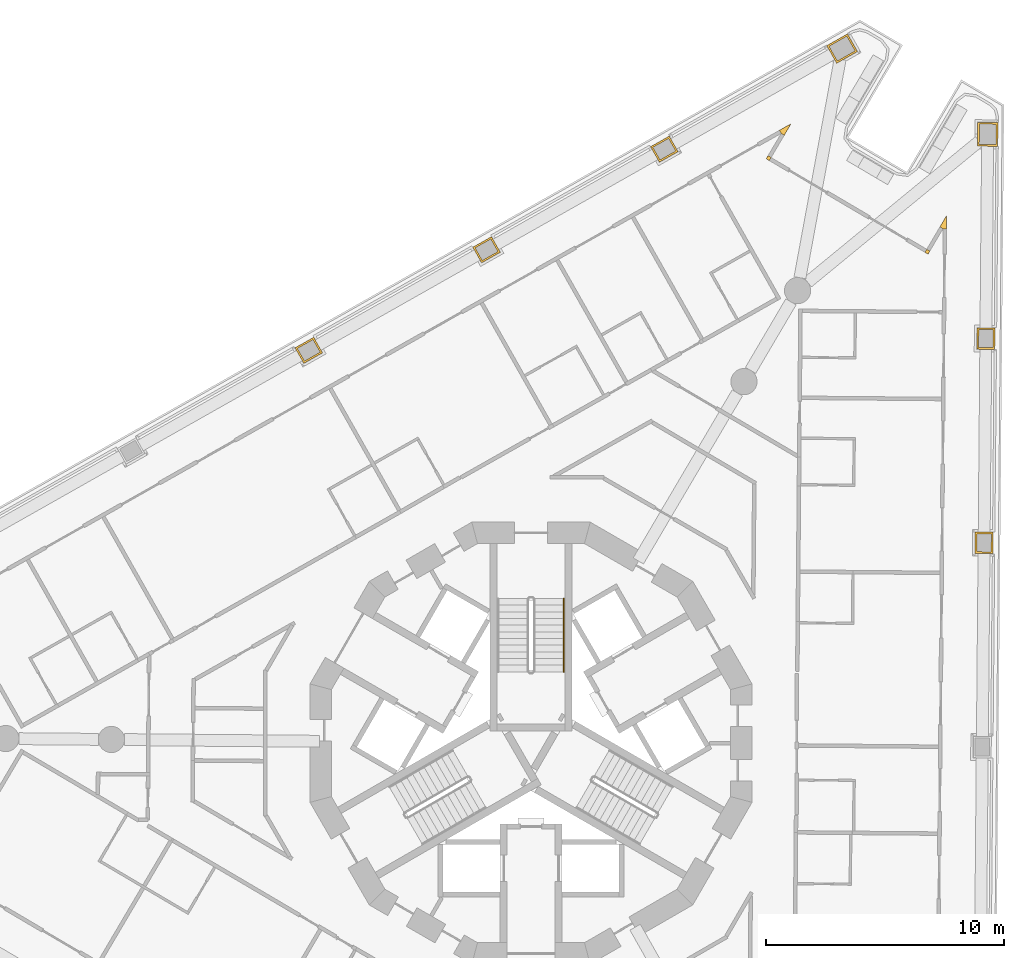
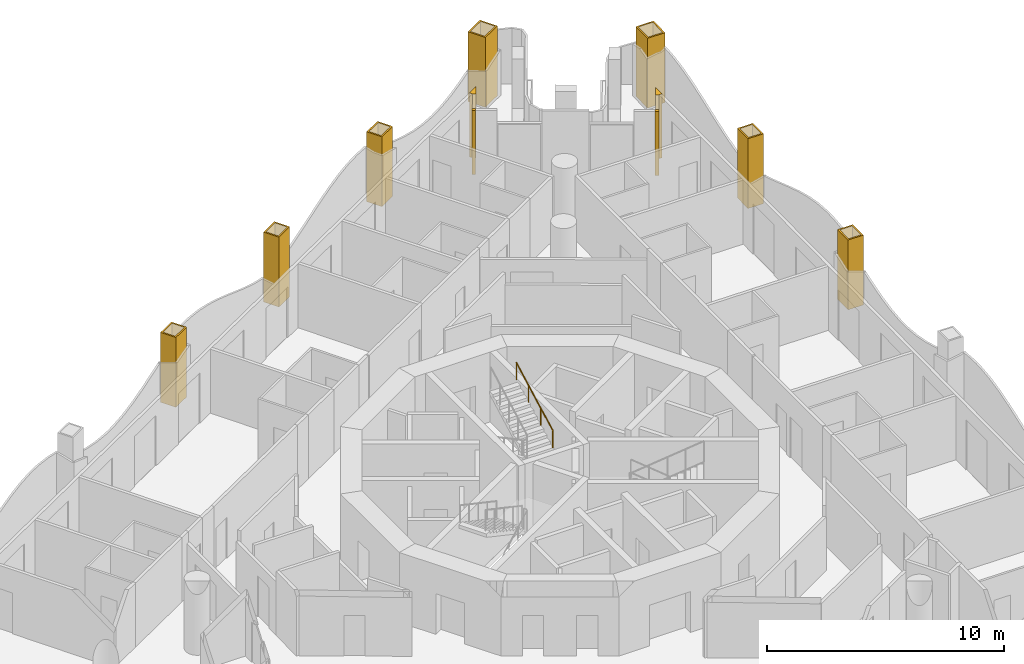
# One storey, part 16 of 17: 11 coverings, 1 railing.
"""IFC4 building model written with IfcOpenShell, lengths in metres."""

from ifc_helpers import new_model, si_unit, direction, frame, origin, origin_2d, place, context, subcontext, project, spatial, polyline, circle, outline, extrude, material, layer, layer_set, type_object, element, save


model = new_model("IFC4")

# Units and contexts
model_context = context("Model", 3, precision=1e-05, world=origin(), true_north=direction((0.0, 1.0)))
body_context = subcontext(model_context, "Body", "Model", "MODEL_VIEW")
ifc_project = project(units=[si_unit("LENGTHUNIT", "METRE"), si_unit("AREAUNIT", "SQUARE_METRE"), si_unit("VOLUMEUNIT", "CUBIC_METRE"), si_unit("PLANEANGLEUNIT", "RADIAN"), si_unit("MASSUNIT", "GRAM", prefix="KILO")], contexts=[model_context])

# Site, building, storey
site_placement = place(None, origin())
site = spatial("IfcSite", under=ifc_project, at=site_placement, CompositionType="ELEMENT")
building_placement = place(site_placement, origin())
building = spatial("IfcBuilding", under=site, at=building_placement, Name="Trine Commons Tower", CompositionType="ELEMENT")
storey_placement = place(building_placement, frame((0.0, 0.0, 168.300048828125)))
storey = spatial("IfcBuildingStorey", under=building, at=storey_placement, Name="L43", CompositionType="ELEMENT", Elevation=168.300048828125)

# Coverings
ifc_material_1 = material(Name="Aluminium-framed insulated wall panel", Category="aluminium")
ifc_layer_1 = layer(ifc_material_1, 0.14990234375)
ifc_layer_set_1 = layer_set([ifc_layer_1], Name="Aluminium-framed insulated wall panel")
covering_type_1 = type_object("IfcCoveringType", Name="Glazing corner post, aluminium", PredefinedType="CLADDING", material=ifc_layer_set_1)
covering_1_placement = place(storey_placement, origin())
element("IfcCovering", 1, at=covering_1_placement, inside=storey, type_object=covering_type_1, Name="Glazing corner post 5-05", PredefinedType="CLADDING", context=body_context, shape_type="SweptSolid", body=[
    extrude(outline(polyline([(90.626220703125, 88.007080078125), (90.910400390625, 88.489501953125), (90.423095703125, 88.213623046875), (90.496826171875, 88.083251953125), (90.626220703125, 88.007080078125)])), origin(), (0.0, 0.0, 1.0), 3.300048828125),
])
covering_2_placement = place(storey_placement, origin())
element("IfcCovering", 2, at=covering_2_placement, inside=storey, type_object=covering_type_1, Name="Glazing corner post 5-06", PredefinedType="CLADDING", context=body_context, shape_type="SweptSolid", body=[
    extrude(outline(polyline([(89.9990234375, 86.9423828125), (90.0751953125, 87.071533203125), (89.94580078125, 87.147705078125), (89.86962890625, 87.018310546875), (89.9990234375, 86.9423828125)])), origin(), (0.0, 0.0, 1.0), 3.300048828125),
])
covering_3_placement = place(storey_placement, origin())
element("IfcCovering", 3, at=covering_3_placement, inside=storey, type_object=covering_type_1, Name="Glazing corner post 5-07", PredefinedType="CLADDING", context=body_context, shape_type="SweptSolid", body=[
    extrude(outline(polyline([(96.530029296875, 83.09521484375), (96.659423828125, 83.01904296875), (96.735595703125, 83.148193359375), (96.606201171875, 83.224365234375), (96.530029296875, 83.09521484375)])), origin(), (0.0, 0.0, 1.0), 3.300048828125),
])
covering_4_placement = place(storey_placement, origin())
element("IfcCovering", 4, at=covering_4_placement, inside=storey, type_object=covering_type_1, Name="Glazing corner post 5-08", PredefinedType="CLADDING", context=body_context, shape_type="SweptSolid", body=[
    extrude(outline(polyline([(97.4365234375, 84.08251953125), (97.44140625, 84.64208984375), (97.1572265625, 84.159912109375), (97.28662109375, 84.083740234375), (97.4365234375, 84.08251953125)])), origin(), (0.0, 0.0, 1.0), 3.300048828125),
])
ifc_material_2 = material(Name="Limestone, honed", Category="masonry")
ifc_layer_2 = layer(ifc_material_2, 0.074951171875)
ifc_layer_set_2 = layer_set([ifc_layer_2], Name="Limestone, honed")
covering_type_2 = type_object("IfcCoveringType", Name="Limestone column cladding 75", PredefinedType="CLADDING", material=ifc_layer_set_2)
covering_5_placement = place(storey_placement, origin())
element("IfcCovering", 5, at=covering_5_placement, inside=storey, type_object=covering_type_2, Name="Limestone pier cladding 5-11", PredefinedType="CLADDING", context=body_context, shape_type="SweptSolid", body=[
    extrude(outline(polyline([(71.2509765625, 78.877685546875), (70.881591796875, 79.530517578125), (70.098388671875, 79.087158203125), (70.4677734375, 78.434326171875), (71.2509765625, 78.877685546875)]), holes=[polyline([(71.148681640625, 78.906005859375), (70.853515625, 79.42822265625), (70.20068359375, 79.058837890625), (70.49609375, 78.53662109375), (71.148681640625, 78.906005859375)])]), origin(), (0.0, 0.0, 1.0), 3.599853515625),
])
covering_6_placement = place(storey_placement, origin())
element("IfcCovering", 6, at=covering_6_placement, inside=storey, type_object=covering_type_2, Name="Limestone pier cladding 5-12", PredefinedType="CLADDING", context=body_context, shape_type="SweptSolid", body=[
    extrude(outline(polyline([(78.71044921875, 83.097900390625), (78.34130859375, 83.750732421875), (77.557861328125, 83.3076171875), (77.92724609375, 82.65478515625), (78.71044921875, 83.097900390625)]), holes=[polyline([(78.6083984375, 83.12646484375), (78.31298828125, 83.648681640625), (77.66015625, 83.279296875), (77.95556640625, 82.757080078125), (78.6083984375, 83.12646484375)])]), origin(), (0.0, 0.0, 1.0), 3.599853515625),
])
covering_7_placement = place(storey_placement, origin())
element("IfcCovering", 7, at=covering_7_placement, inside=storey, type_object=covering_type_2, Name="Limestone pier cladding 5-13", PredefinedType="CLADDING", context=body_context, shape_type="SweptSolid", body=[
    extrude(outline(polyline([(86.169921875, 87.318359375), (85.80078125, 87.97119140625), (85.017333984375, 87.52783203125), (85.38671875, 86.875), (86.169921875, 87.318359375)]), holes=[polyline([(86.06787109375, 87.3466796875), (85.7724609375, 87.868896484375), (85.11962890625, 87.49951171875), (85.4150390625, 86.977294921875), (86.06787109375, 87.3466796875)])]), origin(), (0.0, 0.0, 1.0), 3.599853515625),
])
covering_8_placement = place(storey_placement, origin())
element("IfcCovering", 8, at=covering_8_placement, inside=storey, type_object=covering_type_2, Name="Limestone pier cladding 5-14", PredefinedType="CLADDING", context=body_context, shape_type="SweptSolid", body=[
    extrude(outline(polyline([(93.697509765625, 91.519775390625), (93.279052734375, 92.259521484375), (92.40869140625, 91.76708984375), (92.8271484375, 91.02734375), (93.697509765625, 91.519775390625)]), holes=[polyline([(93.59521484375, 91.548095703125), (93.250732421875, 92.157470703125), (92.510986328125, 91.73876953125), (92.85546875, 91.129638671875), (93.59521484375, 91.548095703125)])]), origin(), (0.0, 0.0, 1.0), 3.599853515625),
])
covering_9_placement = place(storey_placement, origin())
element("IfcCovering", 9, at=covering_9_placement, inside=storey, type_object=covering_type_2, Name="Limestone pier cladding 5-15", PredefinedType="CLADDING", context=body_context, shape_type="SweptSolid", body=[
    extrude(outline(polyline([(99.590576171875, 88.5419921875), (98.740478515625, 88.54931640625), (98.73193359375, 87.54931640625), (99.581787109375, 87.5419921875), (99.590576171875, 88.5419921875)]), holes=[polyline([(99.514892578125, 88.467529296875), (98.81494140625, 88.4736328125), (98.8076171875, 87.623779296875), (99.507568359375, 87.61767578125), (99.514892578125, 88.467529296875)])]), origin(), (0.0, 0.0, 1.0), 3.599853515625),
])
covering_10_placement = place(storey_placement, origin())
element("IfcCovering", 10, at=covering_10_placement, inside=storey, type_object=covering_type_2, Name="Limestone pier cladding 5-16", PredefinedType="CLADDING", context=body_context, shape_type="SweptSolid", body=[
    extrude(outline(polyline([(99.46533203125, 79.922119140625), (98.71533203125, 79.9287109375), (98.70751953125, 79.028564453125), (99.45751953125, 79.02197265625), (99.46533203125, 79.922119140625)]), holes=[polyline([(99.3896484375, 79.84765625), (98.789794921875, 79.852783203125), (98.783203125, 79.102783203125), (99.383056640625, 79.09765625), (99.3896484375, 79.84765625)])]), origin(), (0.0, 0.0, 1.0), 3.599853515625),
])
covering_11_placement = place(storey_placement, origin())
element("IfcCovering", 11, at=covering_11_placement, inside=storey, type_object=covering_type_2, Name="Limestone pier cladding 5-17", PredefinedType="CLADDING", context=body_context, shape_type="SweptSolid", body=[
    extrude(outline(polyline([(99.390380859375, 71.351806640625), (98.640380859375, 71.3583984375), (98.6328125, 70.458251953125), (99.3828125, 70.45166015625), (99.390380859375, 71.351806640625)]), holes=[polyline([(99.31494140625, 71.27734375), (98.71484375, 71.28271484375), (98.708251953125, 70.53271484375), (99.308349609375, 70.52734375), (99.31494140625, 71.27734375)])]), origin(), (0.0, 0.0, 1.0), 3.599853515625),
])

# Railing
ifc_material_3 = material(Name="Stainless steel handrail", Category="steel")
railing_type = type_object("IfcRailingType", Name="Stair handrail, steel 900", PredefinedType="HANDRAIL", material=ifc_material_3)
railing_placement = place(storey_placement, frame((81.375, 65.490478515625, 1.949951171875)))
element("IfcRailing", 12, at=railing_placement, inside=storey, type_object=railing_type, Name="L43 ST1B stair handrail 2", PredefinedType="HANDRAIL", context=body_context, shape_type="SweptSolid", body=[
    extrude(circle(Radius=0.02099609375, at=origin_2d()), frame((0.0, 0.0, 0.87890625), z_axis=(0.0, 0.881496589024, 0.472190389079), x_axis=(-1.0, 0.0, 0.0)), (0.0, 0.0, 1.0), 3.494140625),
    extrude(circle(Radius=0.01513671875, at=origin_2d()), origin(), (0.0, 0.0, 1.0), 0.85791015625),
    extrude(circle(Radius=0.01513671875, at=origin_2d()), frame((0.0, 1.026611328125, 0.550048828125)), (0.0, 0.0, 1.0), 0.85791015625),
    extrude(circle(Radius=0.01513671875, at=origin_2d()), frame((0.0, 2.053466796875, 1.099853515625)), (0.0, 0.0, 1.0), 0.85791015625),
    extrude(circle(Radius=0.01513671875, at=origin_2d()), frame((0.0, 3.080078125, 1.64990234375)), (0.0, 0.0, 1.0), 0.85791015625),
])

save(model, "model.ifc")
